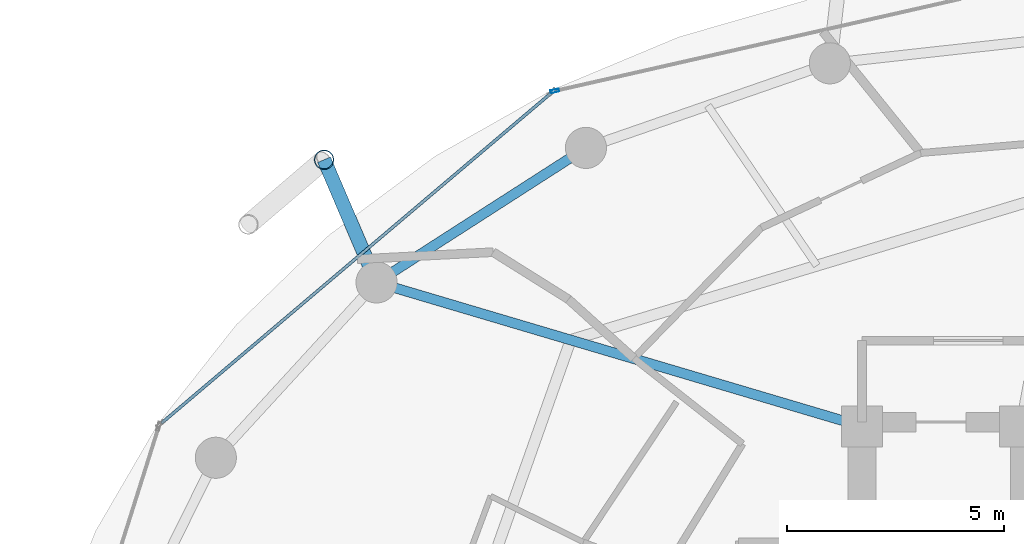
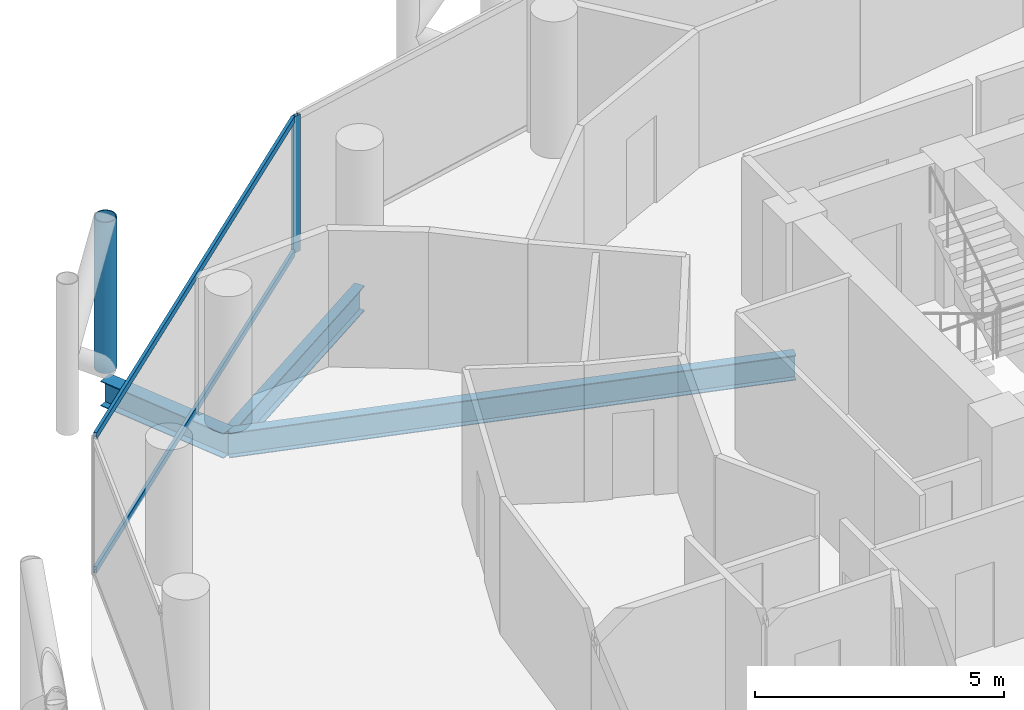
# One storey, part 14 of 26: 4 members, 3 beams, 2 elements without a shape of their own.
"""IFC4 building model written with IfcOpenShell, lengths in metres."""

from ifc_helpers import new_model, si_unit, direction, frame, origin, origin_2d, place, context, subcontext, project, spatial, hollow_rectangle, hollow_circle, i_section, extrude, material, layer, layer_set, material_profile, profile_set, type_object, element, aggregate, save


model = new_model("IFC4")

# Units and contexts
model_context = context("Model", 3, precision=1e-05, world=origin(), true_north=direction((0.0, 1.0)))
body_context = subcontext(model_context, "Body", "Model", "MODEL_VIEW")
ifc_project = project(units=[si_unit("LENGTHUNIT", "METRE"), si_unit("AREAUNIT", "SQUARE_METRE"), si_unit("VOLUMEUNIT", "CUBIC_METRE"), si_unit("PLANEANGLEUNIT", "RADIAN"), si_unit("MASSUNIT", "GRAM", prefix="KILO")], contexts=[model_context])

# Site, building, storey
site_placement = place(None, origin())
site = spatial("IfcSite", under=ifc_project, at=site_placement, CompositionType="ELEMENT")
building_placement = place(site_placement, origin())
building = spatial("IfcBuilding", under=site, at=building_placement, Name="Nuhasar Tower", CompositionType="ELEMENT")
storey_placement = place(building_placement, frame((0.0, 0.0, 192.25)))
storey = spatial("IfcBuildingStorey", under=building, at=storey_placement, Name="L47", CompositionType="ELEMENT", Elevation=192.25)

# Beams
ifc_material_1 = material(Name="Steel S355", Category="steel")
ifc_material_profile_1 = material_profile(ifc_material_1, i_section(OverallWidth=0.22900390625, OverallDepth=0.612060546875, WebThickness=0.011962890625, FlangeThickness=0.01953125, at=origin_2d()), Name="W24X84")
ifc_profile_set_1 = profile_set([ifc_material_profile_1], Name="Steel S355")
beam_type_1 = type_object("IfcBeamType", Name="BM-RAD-W24X84", PredefinedType="BEAM", material=ifc_profile_set_1)
beam_1_placement = place(storey_placement, frame((33.699951171875, 37.300048828125, -0.555908203125), z_axis=(-0.958746492721, 0.284262489076, 0.0), x_axis=(-0.284262489076, -0.958746492721, 0.0)))
element("IfcBeam", 1, at=beam_1_placement, inside=storey, type_object=beam_type_1, Name="L47 Radial Floor Girder 07", PredefinedType="BEAM", context=body_context, shape_type="SweptSolid", body=[
    extrude(i_section(OverallWidth=0.22900390625, OverallDepth=0.612060546875, WebThickness=0.011962890625, FlangeThickness=0.01953125, at=origin_2d()), origin(), (0.0, 0.0, 1.0), 11.693359375),
])
ifc_material_profile_2 = material_profile(ifc_material_1, i_section(OverallWidth=0.22998046875, OverallDepth=0.616943359375, WebThickness=0.01318359375, FlangeThickness=0.022216796875, at=origin_2d()), Name="W24X94")
ifc_profile_set_2 = profile_set([ifc_material_profile_2], Name="Steel S355")
beam_type_2 = type_object("IfcBeamType", Name="BM-RING-W24X94", PredefinedType="SPANDREL", material=ifc_profile_set_2)
beam_2_placement = place(storey_placement, frame((27.324951171875, 43.73095703125, -0.55908203125), z_axis=(-0.841327486207, -0.540525726448, 0.0), x_axis=(0.540525726448, -0.841327486207, 0.0)))
element("IfcBeam", 2, at=beam_2_placement, inside=storey, type_object=beam_type_2, Name="L47 Perimeter Ring Spandrel 09", PredefinedType="SPANDREL", context=body_context, shape_type="SweptSolid", body=[
    extrude(i_section(OverallWidth=0.22998046875, OverallDepth=0.616943359375, WebThickness=0.01318359375, FlangeThickness=0.022216796875, at=origin_2d()), origin(), (0.0, 0.0, 1.0), 5.748046875),
])
ifc_material_profile_3 = material_profile(ifc_material_1, i_section(OverallWidth=0.323974609375, OverallDepth=0.611083984375, WebThickness=0.0126953125, FlangeThickness=0.01904296875, at=origin_2d()), Name="W24X104")
ifc_profile_set_3 = profile_set([ifc_material_profile_3], Name="Steel S355")
beam_type_3 = type_object("IfcBeamType", Name="BM-TIE-W24X104", PredefinedType="BEAM", material=ifc_profile_set_3)
beam_3_placement = place(storey_placement, frame((22.489013671875, 40.6240234375, -0.554931640625), z_axis=(-0.39330721304, 0.919407111225, 0.0), x_axis=(-0.919407111225, -0.39330721304, 0.0)))
element("IfcBeam", 3, at=beam_3_placement, inside=storey, type_object=beam_type_3, Name="L47 Exoskeleton Node Tie Beam 05", PredefinedType="BEAM", context=body_context, shape_type="SweptSolid", body=[
    extrude(i_section(OverallWidth=0.323974609375, OverallDepth=0.611083984375, WebThickness=0.0126953125, FlangeThickness=0.01904296875, at=origin_2d()), origin(), (0.0, 0.0, 1.0), 3.081298828125),
])

# Curtain wall, member
ifc_material_2 = material(Name="Aluminium 6063-T6", Category="aluminium")
ifc_layer = layer(ifc_material_2, 0.199951171875)
ifc_layer_set = layer_set([ifc_layer], Name="Aluminium 6063-T6")
curtain_wall_type = type_object("IfcCurtainWallType", Name="CW-Z2-HTL", PredefinedType="NOTDEFINED", material=ifc_layer_set)
curtain_wall_1_placement = place(storey_placement, origin())
curtain_wall_1 = element("IfcCurtainWall", 4, at=curtain_wall_1_placement, inside=storey, type_object=curtain_wall_type, Name="L47 Unitised Curtain Wall 04", PredefinedType="NOTDEFINED")
ifc_material_profile_4 = material_profile(ifc_material_2, hollow_rectangle(XDim=0.070068359375, YDim=0.199951171875, WallThickness=0.0048828125, at=origin_2d()), Name="CWM-3")
ifc_profile_set_4 = profile_set([ifc_material_profile_4], Name="Aluminium 6063-T6")
member_type_1 = type_object("IfcMemberType", Name="CW-MUL-S3", PredefinedType="MULLION", material=ifc_profile_set_4)
member_1_placement = place(storey_placement, frame((26.604248046875, 45.045654296875, 0.0), z_axis=(0.0, 0.0, 1.0), x_axis=(0.22139729566, -0.975183694221, 0.0)))
member_1 = element("IfcMember", 5, at=member_1_placement, type_object=member_type_1, Name="CW-Z2 mullion 2", PredefinedType="MULLION", context=body_context, shape_type="SweptSolid", body=[
    extrude(hollow_rectangle(XDim=0.070068359375, YDim=0.199951171875, WallThickness=0.0048828125, at=origin_2d()), origin(), (0.0, 0.0, 1.0), 3.35009765625),
])
aggregate(curtain_wall_1, [member_1])

# Curtain wall, members
curtain_wall_2_placement = place(storey_placement, origin())
curtain_wall_2 = element("IfcCurtainWall", 6, at=curtain_wall_2_placement, inside=storey, type_object=curtain_wall_type, Name="L47 Unitised Curtain Wall 05", PredefinedType="NOTDEFINED")
ifc_material_profile_5 = material_profile(ifc_material_2, hollow_rectangle(XDim=0.070068359375, YDim=0.159912109375, WallThickness=0.00439453125, at=origin_2d()), Name="CWT-3")
ifc_profile_set_5 = profile_set([ifc_material_profile_5], Name="Aluminium 6063-T6")
member_type_2 = type_object("IfcMemberType", Name="CW-TRN-S3", PredefinedType="USERDEFINED", material=ifc_profile_set_5)
member_2_placement = place(storey_placement, frame((26.5166015625, 44.99267578125, 0.034912109375), z_axis=(-0.763023915269, -0.646370253592, 0.0), x_axis=(0.646370253592, -0.763023915269, 0.0)))
member_2 = element("IfcMember", 7, at=member_2_placement, type_object=member_type_2, Name="CW-Z2 transom 1.1", ObjectType="TRANSOM", PredefinedType="USERDEFINED", context=body_context, shape_type="SweptSolid", body=[
    extrude(hollow_rectangle(XDim=0.070068359375, YDim=0.159912109375, WallThickness=0.00439453125, at=origin_2d()), origin(), (0.0, 0.0, 1.0), 11.784912109375),
])
member_3_placement = place(storey_placement, frame((26.5166015625, 44.99267578125, 3.31494140625), z_axis=(-0.763023915269, -0.646370253592, 0.0), x_axis=(0.646370253592, -0.763023915269, 0.0)))
member_3 = element("IfcMember", 8, at=member_3_placement, type_object=member_type_2, Name="CW-Z2 transom 1.2", ObjectType="TRANSOM", PredefinedType="USERDEFINED", context=body_context, shape_type="SweptSolid", body=[
    extrude(hollow_rectangle(XDim=0.070068359375, YDim=0.159912109375, WallThickness=0.00439453125, at=origin_2d()), origin(), (0.0, 0.0, 1.0), 11.784912109375),
])
aggregate(curtain_wall_2, [member_2, member_3])

# Member
ifc_material_3 = material(Name="Steel S460", Category="steel")
ifc_material_profile_6 = material_profile(ifc_material_3, hollow_circle(Radius=0.228515625, WallThickness=0.022216796875, at=origin_2d()), Name="HSS457X22.2")
ifc_profile_set_6 = profile_set([ifc_material_profile_6], Name="Steel S460")
member_type_3 = type_object("IfcMemberType", Name="EXO-BRONZE-457", PredefinedType="BRACE", material=ifc_profile_set_6)
member_4_placement = place(storey_placement, frame((21.277099609375, 43.45703125, 0.0), z_axis=(0.0, 0.0, 1.0), x_axis=(1.0, 0.0, 0.0)))
element("IfcMember", 9, at=member_4_placement, inside=storey, type_object=member_type_3, Name="L47 Exoskeleton Chord Column EC-05A", PredefinedType="BRACE", context=body_context, shape_type="SweptSolid", body=[
    extrude(hollow_circle(Radius=0.228515625, WallThickness=0.022216796875, at=origin_2d()), origin(), (0.0, 0.0, 1.0), 3.699951171875),
])

save(model, "model.ifc")
